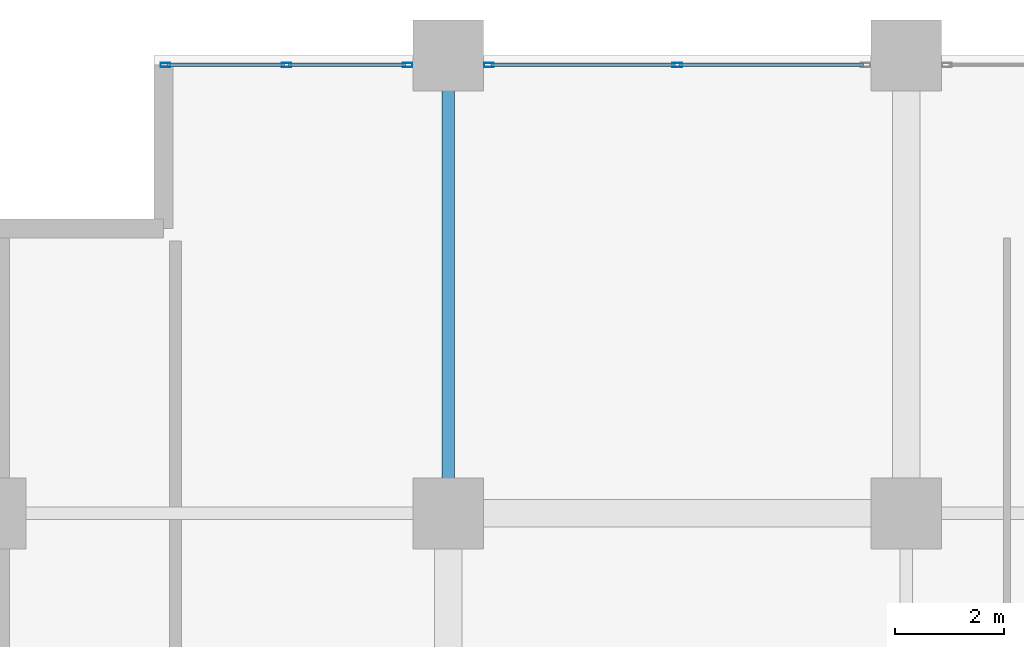
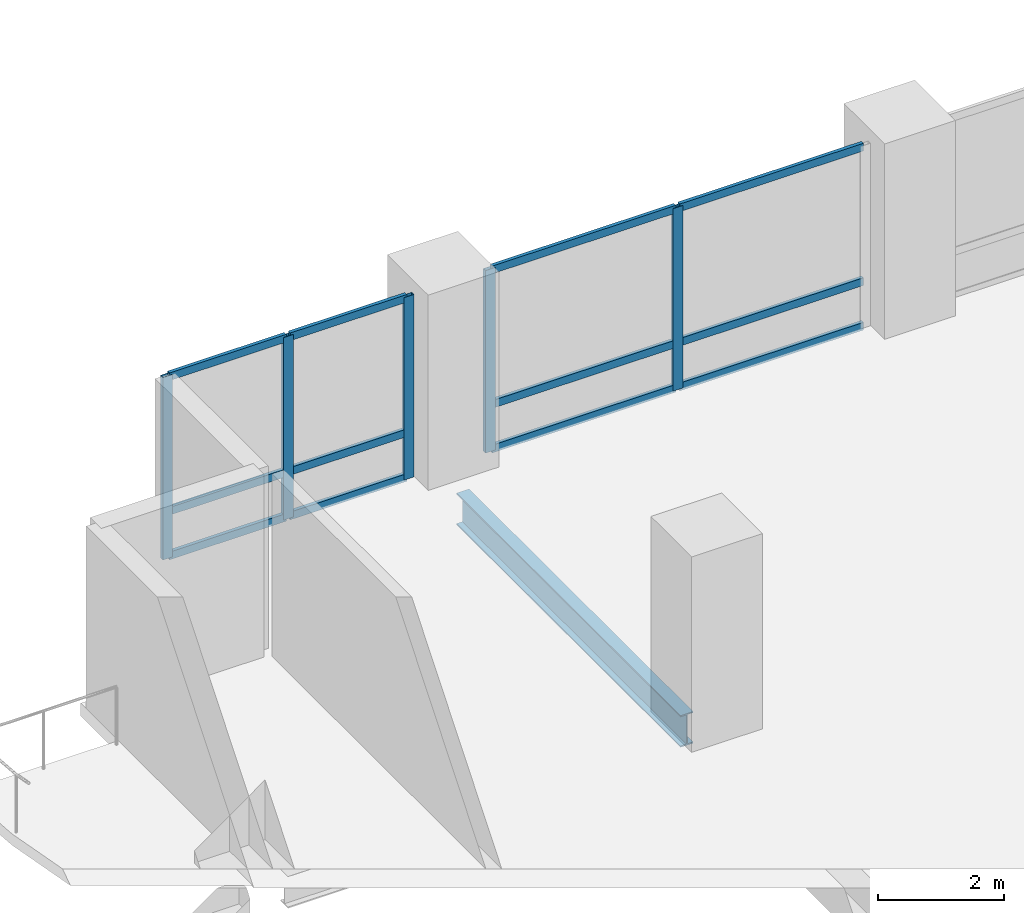
# One storey, part 3 of 21: 17 members, 1 beam, 2 elements without a shape of their own.
"""IFC4 building model written with IfcOpenShell, lengths in metres."""

import ifcopenshell
import ifcopenshell.guid

model = None  # the IFC model being written
_history = None  # IfcOwnerHistory: only IFC2X3 demands one
_inside = {}  # id of a spatial element -> (the spatial element, [elements in it])
_under = {}  # id of a project, library or spatial element -> (it, [spatial elements below it])
_declared = {}  # id of a project -> (the project, [libraries it declares])
_typed = {}  # id of a type object -> (the type object, [elements of that type])
_made_of = {}  # id of a material, layer set ... -> (it, [elements and type objects made of it])


def new_model(schema):
    """Start an empty IFC model of exactly this schema.

    Asked for "IFC4X3", IfcOpenShell would pick the latest addendum, in which some entities
    have other attributes; the version numbers below select the first issue.
    IFC2X3 requires an IfcOwnerHistory on every rooted entity: one is made here for all.
    """
    global model, _history
    if schema == "IFC4X3":
        model = ifcopenshell.file(schema_version=(4, 3, 0, 0))
    else:
        model = ifcopenshell.file(schema=schema)
    _inside.clear()
    _under.clear()
    _declared.clear()
    _typed.clear()
    _made_of.clear()
    _history = None
    if model.schema == "IFC2X3":
        org = make("IfcOrganization", Name="unknown")
        user = make(
            "IfcPersonAndOrganization",
            ThePerson=make("IfcPerson", FamilyName="unknown"),
            TheOrganization=org,
        )
        app = make(
            "IfcApplication",
            ApplicationDeveloper=org,
            Version="unknown",
            ApplicationFullName="unknown",
            ApplicationIdentifier="unknown",
        )
        _history = make(
            "IfcOwnerHistory",
            OwningUser=user,
            OwningApplication=app,
            ChangeAction="ADDED",
            CreationDate=0,
        )
    return model


def make(cls, **values):
    """One entity of the class cls with the attributes given. An attribute that is None is left unset."""
    return model.create_entity(
        cls, **{name: value for name, value in values.items() if value is not None}
    )


def rooted(cls, **values):
    """An entity with a GlobalId (a new one), such as an element, a storey or a relation."""
    return make(cls, GlobalId=ifcopenshell.guid.new(), OwnerHistory=_history, **values)


def si_unit(unit_type, name, prefix=None):
    """IfcSIUnit, for example si_unit("LENGTHUNIT", "METRE", prefix="MILLI")."""
    return make("IfcSIUnit", UnitType=unit_type, Prefix=prefix, Name=name)


def assignment(units):
    """IfcUnitAssignment: the units of a project."""
    return None if units is None else make("IfcUnitAssignment", Units=units)


def point(xyz):
    """IfcCartesianPoint."""
    return None if xyz is None else make("IfcCartesianPoint", Coordinates=xyz)


def direction(xyz):
    """IfcDirection."""
    return None if xyz is None else make("IfcDirection", DirectionRatios=xyz)


def frame(location, z_axis=None, x_axis=None):
    """IfcAxis2Placement3D, a coordinate frame: its origin and axes. An axis left out is left unset."""
    return make(
        "IfcAxis2Placement3D",
        Location=point(location),
        Axis=direction(z_axis),
        RefDirection=direction(x_axis),
    )


def frame_2d(location, x_axis=None):
    """IfcAxis2Placement2D, a coordinate frame in the plane: its origin and x axis."""
    return make(
        "IfcAxis2Placement2D", Location=point(location), RefDirection=direction(x_axis)
    )


def origin():
    """The frame at (0, 0, 0) with its axes left unset."""
    return frame((0.0, 0.0, 0.0))


def origin_2d():
    """The frame at (0, 0) in the plane with its x axis left unset."""
    return frame_2d((0.0, 0.0))


def place(relative_to, where):
    """IfcLocalPlacement: puts the frame where relative to a parent placement (None: the world)."""
    return make(
        "IfcLocalPlacement", PlacementRelTo=relative_to, RelativePlacement=where
    )


def context(
    kind, dimensions, precision=None, world=None, true_north=None, identifier=None
):
    """IfcGeometricRepresentationContext, for example the 3D "Model" context."""
    return make(
        "IfcGeometricRepresentationContext",
        ContextIdentifier=identifier,
        ContextType=kind,
        CoordinateSpaceDimension=dimensions,
        Precision=precision,
        WorldCoordinateSystem=world,
        TrueNorth=true_north,
    )


def subcontext(parent, identifier, kind, view, scale=None):
    """IfcGeometricRepresentationSubContext, for example "Body" below "Model"."""
    return make(
        "IfcGeometricRepresentationSubContext",
        ContextIdentifier=identifier,
        ContextType=kind,
        ParentContext=parent,
        TargetScale=scale,
        TargetView=view,
    )


def project(units=None, contexts=None):
    """IfcProject with its units and contexts."""
    return rooted(
        "IfcProject",
        Name="project",
        RepresentationContexts=contexts,
        UnitsInContext=assignment(units),
    )


def spatial(cls, under=None, at=None, **own):
    """A site, building, storey or space (cls), placed at a placement, below another one or the project."""
    s = rooted(cls, ObjectPlacement=at, **own)
    if under is not None:
        _under.setdefault(under.id(), (under, []))[1].append(s)
    return s


def profile(cls, at=None, kind="AREA", **sizes):
    """A parametric profile (cls). Its sizes go by their IFC names, for example OverallWidth=200.0."""
    return make(cls, ProfileType=kind, Position=at, **sizes)


def hollow_rectangle(**sizes):
    """IfcRectangleHollowProfileDef."""
    return profile("IfcRectangleHollowProfileDef", **sizes)


def i_section(**sizes):
    """IfcIShapeProfileDef."""
    return profile("IfcIShapeProfileDef", **sizes)


def extrude(swept, where, along, depth):
    """IfcExtrudedAreaSolid: the profile swept, set in the frame where, extruded along a direction by depth."""
    return make(
        "IfcExtrudedAreaSolid",
        SweptArea=swept,
        Position=where,
        ExtrudedDirection=direction(along),
        Depth=depth,
    )


def shape(context_of_items, identifier, shape_type, items):
    """IfcShapeRepresentation: the items that make up one representation, for example the "Body"."""
    return make(
        "IfcShapeRepresentation",
        ContextOfItems=context_of_items,
        RepresentationIdentifier=identifier,
        RepresentationType=shape_type,
        Items=items,
    )


def material(Name=None, Category=None):
    """IfcMaterial."""
    return make("IfcMaterial", Name=Name, Category=Category)


def layer(
    of_material, thickness, ventilated=None, Name=None, Category=None, Priority=None
):
    """IfcMaterialLayer: one layer of a wall or slab, of a material (None: an air gap)."""
    return make(
        "IfcMaterialLayer",
        Material=of_material,
        LayerThickness=thickness,
        IsVentilated=ventilated,
        Name=Name,
        Category=Category,
        Priority=Priority,
    )


def layer_set(layers, Name=None):
    """IfcMaterialLayerSet."""
    return make("IfcMaterialLayerSet", MaterialLayers=layers, LayerSetName=Name)


def material_profile(
    of_material, cross_section, Name=None, Category=None, Priority=None
):
    """IfcMaterialProfile: a cross section and its material."""
    return make(
        "IfcMaterialProfile",
        Name=Name,
        Material=of_material,
        Profile=cross_section,
        Priority=Priority,
        Category=Category,
    )


def profile_set(profiles, Name=None, composite=None):
    """IfcMaterialProfileSet."""
    return make(
        "IfcMaterialProfileSet",
        Name=Name,
        MaterialProfiles=profiles,
        CompositeProfile=composite,
    )


def made_of(thing, what):
    """Note that an element or type object is made of a material, layer set ...; save() writes the relation."""
    if what is not None:
        _made_of.setdefault(what.id(), (what, []))[1].append(thing)
    return thing


def type_object(cls, material=None, **own):
    """A type object (cls), such as IfcWallType, which elements share."""
    return made_of(rooted(cls, **own), material)


def element(
    cls,
    number,
    at=None,
    inside=None,
    cuts=None,
    type_object=None,
    material=None,
    context=None,
    identifier="Body",
    shape_type=None,
    held_by="IfcProductDefinitionShape",
    body=None,
    shapes=None,
    **own,
):
    """One element of the class cls, such as IfcWall. Its Tag is "e" and its number.

    at: its placement. inside: the storey or other place that contains it. cuts: it is an
    opening in that element (IfcRelVoidsElement). A single representation is given by context,
    identifier, shape_type and body (its items); several are given by shapes. held_by: the class
    of the entity that holds the representations. save() writes the other relations.
    """
    e = rooted(cls, Tag="e%d" % number, ObjectPlacement=at, **own)
    if body is not None:
        shapes = [shape(context, identifier, shape_type, body)]
    if shapes is not None:
        e.Representation = make(held_by, Representations=shapes)
    if inside is not None:
        _inside.setdefault(inside.id(), (inside, []))[1].append(e)
    if cuts is not None:
        rooted(
            "IfcRelVoidsElement", RelatingBuildingElement=cuts, RelatedOpeningElement=e
        )
    if type_object is not None:
        _typed.setdefault(type_object.id(), (type_object, []))[1].append(e)
    return made_of(e, material)


def aggregate(whole, parts):
    """IfcRelAggregates: a whole, such as a stair, and the parts it consists of."""
    return rooted("IfcRelAggregates", RelatingObject=whole, RelatedObjects=parts)


def save(model, path):
    """Write the relations noted so far, then the file.

    IfcRelAggregates (storeys below a building ...), IfcRelContainedInSpatialStructure (elements
    in a storey), IfcRelDefinesByType, IfcRelAssociatesMaterial and IfcRelDeclares: one each for
    every whole, place, type object, material and project.
    """
    for whole, parts in _under.values():
        aggregate(whole, parts)
    for where, things in _inside.values():
        rooted(
            "IfcRelContainedInSpatialStructure",
            RelatedElements=things,
            RelatingStructure=where,
        )
    for kind, things in _typed.values():
        rooted("IfcRelDefinesByType", RelatedObjects=things, RelatingType=kind)
    for what, things in _made_of.values():
        rooted("IfcRelAssociatesMaterial", RelatedObjects=things, RelatingMaterial=what)
    for by, libraries in _declared.values():
        rooted("IfcRelDeclares", RelatingContext=by, RelatedDefinitions=libraries)
    model.write(path)


model = new_model("IFC4")

# Units and contexts
model_context = context("Model", 3, precision=1e-05, world=origin(), true_north=direction((0.0, 1.0)))
body_context = subcontext(model_context, "Body", "Model", "MODEL_VIEW")
ifc_project = project(units=[si_unit("LENGTHUNIT", "METRE"), si_unit("AREAUNIT", "SQUARE_METRE"), si_unit("VOLUMEUNIT", "CUBIC_METRE"), si_unit("PLANEANGLEUNIT", "RADIAN"), si_unit("MASSUNIT", "GRAM", prefix="KILO")], contexts=[model_context])

# Site, building, storey
site_placement = place(None, origin())
site = spatial("IfcSite", under=ifc_project, at=site_placement, CompositionType="ELEMENT")
building_placement = place(site_placement, origin())
building = spatial("IfcBuilding", under=site, at=building_placement, Name="Koriwani Terraces Tower", CompositionType="ELEMENT")
storey_placement = place(building_placement, frame((0.0, 0.0, 111.39990234375)))
storey = spatial("IfcBuildingStorey", under=building, at=storey_placement, Name="L26", CompositionType="ELEMENT", Elevation=111.39990234375)

# Curtain wall, members
ifc_material_1 = material(Name="Anodised Bronze Aluminium", Category="aluminium")
ifc_layer = layer(ifc_material_1, 0.179931640625, Name="Anodised Bronze Aluminium")
ifc_layer_set = layer_set([ifc_layer], Name="Anodised Bronze Aluminium")
curtain_wall_type = type_object("IfcCurtainWallType", Name="CW_HOTEL_ZONE2", PredefinedType="NOTDEFINED", material=ifc_layer_set)
curtain_wall_1_placement = place(storey_placement, origin())
curtain_wall_1 = element("IfcCurtainWall", 1, at=curtain_wall_1_placement, inside=storey, type_object=curtain_wall_type, Name="L26 Unitised Curtain Wall (N_TIP) Bay 1", PredefinedType="NOTDEFINED")
ifc_material_profile_1 = material_profile(ifc_material_1, hollow_rectangle(XDim=0.074951171875, YDim=0.179931640625, WallThickness=0.006103515625, at=origin_2d()), Name="Anodised Bronze Aluminium", Category="LoadBearing")
ifc_profile_set_1 = profile_set([ifc_material_profile_1], Name="Anodised Bronze Aluminium")
member_type_1 = type_object("IfcMemberType", Name="CW_MULLION_180X75", PredefinedType="MULLION", material=ifc_profile_set_1)
member_1_placement = place(storey_placement, frame((3.21240234375, 92.22509765625, 0.0), z_axis=(0.0, 0.0, 1.0), x_axis=(0.0, 1.0, 0.0)))
member_1 = element("IfcMember", 2, at=member_1_placement, type_object=member_type_1, Name="CW-Z2 mullion 1", PredefinedType="MULLION", context=body_context, shape_type="SweptSolid", body=[
    extrude(hollow_rectangle(XDim=0.074951171875, YDim=0.179931640625, WallThickness=0.006103515625, at=origin_2d()), origin(), (0.0, 0.0, 1.0), 3.550048828125),
])
member_2_placement = place(storey_placement, frame((5.4326171875, 92.22509765625, 0.0), z_axis=(0.0, 0.0, 1.0), x_axis=(0.0, 1.0, 0.0)))
member_2 = element("IfcMember", 3, at=member_2_placement, type_object=member_type_1, Name="CW-Z2 mullion 2", PredefinedType="MULLION", context=body_context, shape_type="SweptSolid", body=[
    extrude(hollow_rectangle(XDim=0.074951171875, YDim=0.179931640625, WallThickness=0.006103515625, at=origin_2d()), origin(), (0.0, 0.0, 1.0), 3.550048828125),
])
member_3_placement = place(storey_placement, frame((7.652587890625, 92.22509765625, 0.0), z_axis=(0.0, 0.0, 1.0), x_axis=(0.0, 1.0, 0.0)))
member_3 = element("IfcMember", 4, at=member_3_placement, type_object=member_type_1, Name="CW-Z2 mullion 3", PredefinedType="MULLION", context=body_context, shape_type="SweptSolid", body=[
    extrude(hollow_rectangle(XDim=0.074951171875, YDim=0.179931640625, WallThickness=0.006103515625, at=origin_2d()), origin(), (0.0, 0.0, 1.0), 3.550048828125),
])

curtain_wall_2_placement = place(storey_placement, origin())
curtain_wall_2 = element("IfcCurtainWall", 5, at=curtain_wall_2_placement, inside=storey, type_object=curtain_wall_type, Name="L26 Unitised Curtain Wall (N_TIP) Bay 2", PredefinedType="NOTDEFINED")
member_4_placement = place(storey_placement, frame((9.1474609375, 92.22509765625, 0.0), z_axis=(0.0, 0.0, 1.0), x_axis=(0.0, 1.0, 0.0)))
member_4 = element("IfcMember", 6, at=member_4_placement, type_object=member_type_1, Name="CW-Z2 mullion 1", PredefinedType="MULLION", context=body_context, shape_type="SweptSolid", body=[
    extrude(hollow_rectangle(XDim=0.074951171875, YDim=0.179931640625, WallThickness=0.006103515625, at=origin_2d()), origin(), (0.0, 0.0, 1.0), 3.550048828125),
])
member_5_placement = place(storey_placement, frame((12.60009765625, 92.22509765625, 0.0), z_axis=(0.0, 0.0, 1.0), x_axis=(0.0, 1.0, 0.0)))
member_5 = element("IfcMember", 7, at=member_5_placement, type_object=member_type_1, Name="CW-Z2 mullion 2", PredefinedType="MULLION", context=body_context, shape_type="SweptSolid", body=[
    extrude(hollow_rectangle(XDim=0.074951171875, YDim=0.179931640625, WallThickness=0.006103515625, at=origin_2d()), origin(), (0.0, 0.0, 1.0), 3.550048828125),
])

# Member
ifc_material_profile_2 = material_profile(ifc_material_1, hollow_rectangle(XDim=0.06494140625, YDim=0.14990234375, WallThickness=0.0048828125, at=origin_2d()), Name="Anodised Bronze Aluminium", Category="LoadBearing")
ifc_profile_set_2 = profile_set([ifc_material_profile_2], Name="Anodised Bronze Aluminium")
member_type_2 = type_object("IfcMemberType", Name="CW_TRANSOM_150X65", PredefinedType="USERDEFINED", material=ifc_profile_set_2)
member_6_placement = place(storey_placement, frame((3.25, 92.22509765625, 0.03271484375), z_axis=(1.0, 0.0, 0.0), x_axis=(0.0, 1.0, 0.0)))
member_6 = element("IfcMember", 8, at=member_6_placement, type_object=member_type_2, Name="CW-Z2 transom 1.1", ObjectType="TRANSOM", PredefinedType="USERDEFINED", context=body_context, shape_type="SweptSolid", body=[
    extrude(hollow_rectangle(XDim=0.06494140625, YDim=0.14990234375, WallThickness=0.0048828125, at=origin_2d()), origin(), (0.0, 0.0, 1.0), 2.14501953125),
])

member_7_placement = place(storey_placement, frame((3.25, 92.22509765625, 0.900146484375), z_axis=(1.0, 0.0, 0.0), x_axis=(0.0, 1.0, 0.0)))
member_7 = element("IfcMember", 9, at=member_7_placement, type_object=member_type_2, Name="CW-Z2 transom 1.2", ObjectType="TRANSOM", PredefinedType="USERDEFINED", context=body_context, shape_type="SweptSolid", body=[
    extrude(hollow_rectangle(XDim=0.06494140625, YDim=0.14990234375, WallThickness=0.0048828125, at=origin_2d()), origin(), (0.0, 0.0, 1.0), 2.14501953125),
])

member_8_placement = place(storey_placement, frame((3.25, 92.22509765625, 3.517578125), z_axis=(1.0, 0.0, 0.0), x_axis=(0.0, 1.0, 0.0)))
member_8 = element("IfcMember", 10, at=member_8_placement, type_object=member_type_2, Name="CW-Z2 transom 1.3", ObjectType="TRANSOM", PredefinedType="USERDEFINED", context=body_context, shape_type="SweptSolid", body=[
    extrude(hollow_rectangle(XDim=0.06494140625, YDim=0.14990234375, WallThickness=0.0048828125, at=origin_2d()), origin(), (0.0, 0.0, 1.0), 2.14501953125),
])

member_9_placement = place(storey_placement, frame((5.469970703125, 92.22509765625, 0.03271484375), z_axis=(1.0, 0.0, 0.0), x_axis=(0.0, 1.0, 0.0)))
member_9 = element("IfcMember", 11, at=member_9_placement, type_object=member_type_2, Name="CW-Z2 transom 2.1", ObjectType="TRANSOM", PredefinedType="USERDEFINED", context=body_context, shape_type="SweptSolid", body=[
    extrude(hollow_rectangle(XDim=0.06494140625, YDim=0.14990234375, WallThickness=0.0048828125, at=origin_2d()), origin(), (0.0, 0.0, 1.0), 2.14501953125),
])

member_10_placement = place(storey_placement, frame((5.469970703125, 92.22509765625, 0.900146484375), z_axis=(1.0, 0.0, 0.0), x_axis=(0.0, 1.0, 0.0)))
member_10 = element("IfcMember", 12, at=member_10_placement, type_object=member_type_2, Name="CW-Z2 transom 2.2", ObjectType="TRANSOM", PredefinedType="USERDEFINED", context=body_context, shape_type="SweptSolid", body=[
    extrude(hollow_rectangle(XDim=0.06494140625, YDim=0.14990234375, WallThickness=0.0048828125, at=origin_2d()), origin(), (0.0, 0.0, 1.0), 2.14501953125),
])

member_11_placement = place(storey_placement, frame((5.469970703125, 92.22509765625, 3.517578125), z_axis=(1.0, 0.0, 0.0), x_axis=(0.0, 1.0, 0.0)))
member_11 = element("IfcMember", 13, at=member_11_placement, type_object=member_type_2, Name="CW-Z2 transom 2.3", ObjectType="TRANSOM", PredefinedType="USERDEFINED", context=body_context, shape_type="SweptSolid", body=[
    extrude(hollow_rectangle(XDim=0.06494140625, YDim=0.14990234375, WallThickness=0.0048828125, at=origin_2d()), origin(), (0.0, 0.0, 1.0), 2.14501953125),
])

aggregate(curtain_wall_1, [member_1, member_2, member_3, member_6, member_7, member_8, member_9, member_10, member_11])

member_12_placement = place(storey_placement, frame((9.18505859375, 92.22509765625, 0.03271484375), z_axis=(1.0, 0.0, 0.0), x_axis=(0.0, 1.0, 0.0)))
member_12 = element("IfcMember", 14, at=member_12_placement, type_object=member_type_2, Name="CW-Z2 transom 1.1", ObjectType="TRANSOM", PredefinedType="USERDEFINED", context=body_context, shape_type="SweptSolid", body=[
    extrude(hollow_rectangle(XDim=0.06494140625, YDim=0.14990234375, WallThickness=0.0048828125, at=origin_2d()), origin(), (0.0, 0.0, 1.0), 3.37744140625),
])

member_13_placement = place(storey_placement, frame((9.18505859375, 92.22509765625, 0.900146484375), z_axis=(1.0, 0.0, 0.0), x_axis=(0.0, 1.0, 0.0)))
member_13 = element("IfcMember", 15, at=member_13_placement, type_object=member_type_2, Name="CW-Z2 transom 1.2", ObjectType="TRANSOM", PredefinedType="USERDEFINED", context=body_context, shape_type="SweptSolid", body=[
    extrude(hollow_rectangle(XDim=0.06494140625, YDim=0.14990234375, WallThickness=0.0048828125, at=origin_2d()), origin(), (0.0, 0.0, 1.0), 3.37744140625),
])

member_14_placement = place(storey_placement, frame((9.18505859375, 92.22509765625, 3.517578125), z_axis=(1.0, 0.0, 0.0), x_axis=(0.0, 1.0, 0.0)))
member_14 = element("IfcMember", 16, at=member_14_placement, type_object=member_type_2, Name="CW-Z2 transom 1.3", ObjectType="TRANSOM", PredefinedType="USERDEFINED", context=body_context, shape_type="SweptSolid", body=[
    extrude(hollow_rectangle(XDim=0.06494140625, YDim=0.14990234375, WallThickness=0.0048828125, at=origin_2d()), origin(), (0.0, 0.0, 1.0), 3.37744140625),
])

member_15_placement = place(storey_placement, frame((12.637451171875, 92.22509765625, 0.03271484375), z_axis=(1.0, 0.0, 0.0), x_axis=(0.0, 1.0, 0.0)))
member_15 = element("IfcMember", 17, at=member_15_placement, type_object=member_type_2, Name="CW-Z2 transom 2.1", ObjectType="TRANSOM", PredefinedType="USERDEFINED", context=body_context, shape_type="SweptSolid", body=[
    extrude(hollow_rectangle(XDim=0.06494140625, YDim=0.14990234375, WallThickness=0.0048828125, at=origin_2d()), origin(), (0.0, 0.0, 1.0), 3.37744140625),
])

member_16_placement = place(storey_placement, frame((12.637451171875, 92.22509765625, 0.900146484375), z_axis=(1.0, 0.0, 0.0), x_axis=(0.0, 1.0, 0.0)))
member_16 = element("IfcMember", 18, at=member_16_placement, type_object=member_type_2, Name="CW-Z2 transom 2.2", ObjectType="TRANSOM", PredefinedType="USERDEFINED", context=body_context, shape_type="SweptSolid", body=[
    extrude(hollow_rectangle(XDim=0.06494140625, YDim=0.14990234375, WallThickness=0.0048828125, at=origin_2d()), origin(), (0.0, 0.0, 1.0), 3.37744140625),
])

member_17_placement = place(storey_placement, frame((12.637451171875, 92.22509765625, 3.517578125), z_axis=(1.0, 0.0, 0.0), x_axis=(0.0, 1.0, 0.0)))
member_17 = element("IfcMember", 19, at=member_17_placement, type_object=member_type_2, Name="CW-Z2 transom 2.3", ObjectType="TRANSOM", PredefinedType="USERDEFINED", context=body_context, shape_type="SweptSolid", body=[
    extrude(hollow_rectangle(XDim=0.06494140625, YDim=0.14990234375, WallThickness=0.0048828125, at=origin_2d()), origin(), (0.0, 0.0, 1.0), 3.37744140625),
])

aggregate(curtain_wall_2, [member_4, member_5, member_12, member_13, member_14, member_15, member_16, member_17])

# Beam
ifc_material_2 = material(Name="Steel ASTM A572 Grade 50", Category="steel")
ifc_material_profile_3 = material_profile(ifc_material_2, i_section(OverallWidth=0.23095703125, OverallDepth=0.616943359375, WebThickness=0.015380859375, FlangeThickness=0.0244140625, at=origin_2d()), Name="Steel ASTM A572 Grade 50", Category="LoadBearing")
ifc_profile_set_3 = profile_set([ifc_material_profile_3], Name="Steel ASTM A572 Grade 50")
beam_type = type_object("IfcBeamType", Name="STEEL_BEAM_W610X195", PredefinedType="BEAM", material=ifc_profile_set_3)
beam_placement = place(storey_placement, frame((8.39990234375, 84.6298828125, -0.558349609375), z_axis=(0.0, 1.0, 0.0), x_axis=(-1.0, 0.0, 0.0)))
element("IfcBeam", 20, at=beam_placement, inside=storey, type_object=beam_type, Name="L26 Grid Beam 2 (84.0-92.4m)", PredefinedType="BEAM", context=body_context, shape_type="SweptSolid", body=[
    extrude(i_section(OverallWidth=0.23095703125, OverallDepth=0.616943359375, WebThickness=0.015380859375, FlangeThickness=0.0244140625, at=origin_2d()), origin(), (0.0, 0.0, 1.0), 7.14013671875),
])

save(model, "model.ifc")
